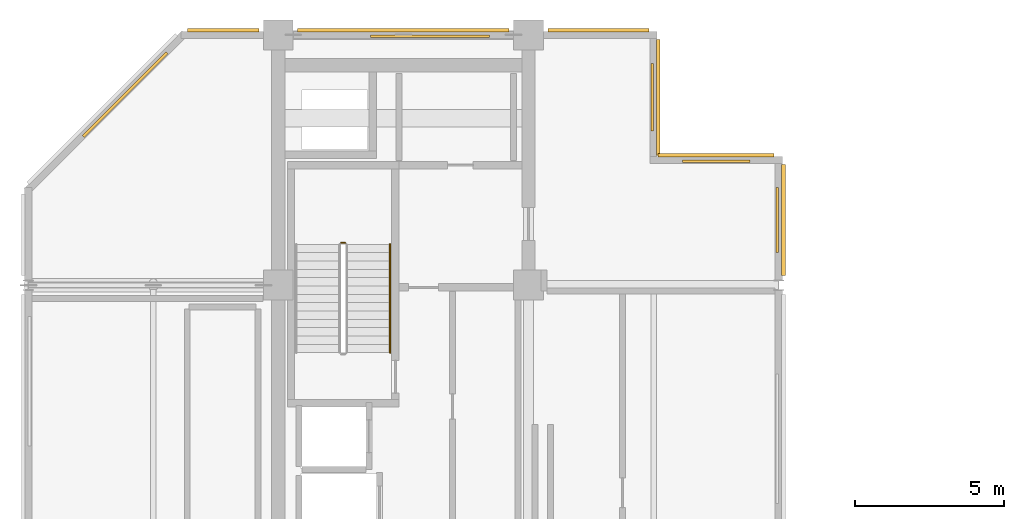
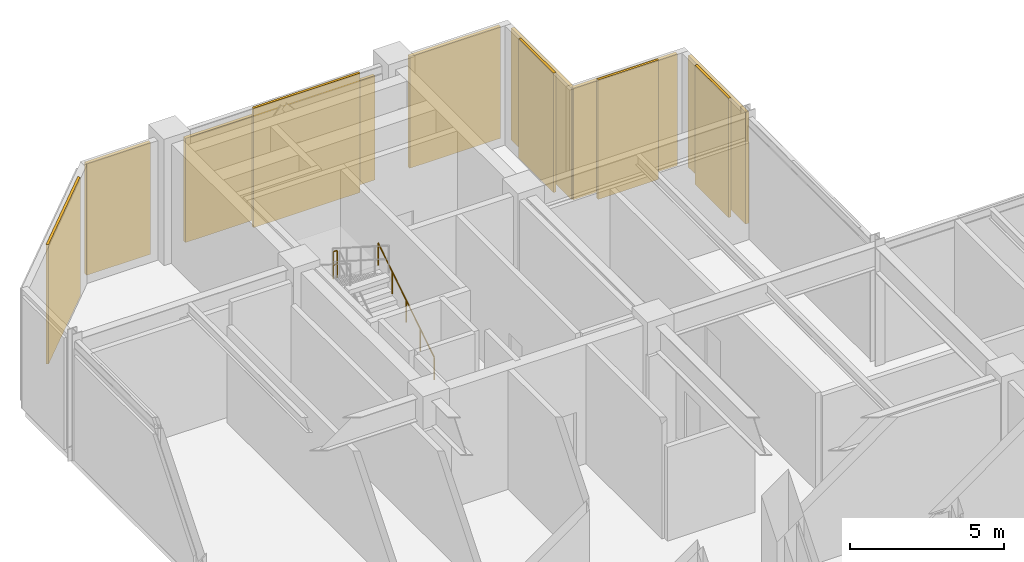
# One storey, part 10 of 10: 6 shading devices, 5 coverings, 2 railings.
"""IFC4 building model written with IfcOpenShell, lengths in metres."""

from ifc_helpers import new_model, si_unit, direction, frame, origin, origin_2d, place, context, subcontext, project, spatial, rectangle, circle, extrude, material, layer, layer_set, type_object, element, save


model = new_model("IFC4")

# Units and contexts
model_context = context("Model", 3, precision=1e-05, world=origin(), true_north=direction((0.0, 1.0)))
body_context = subcontext(model_context, "Body", "Model", "MODEL_VIEW")
ifc_project = project(units=[si_unit("LENGTHUNIT", "METRE"), si_unit("AREAUNIT", "SQUARE_METRE"), si_unit("VOLUMEUNIT", "CUBIC_METRE"), si_unit("PLANEANGLEUNIT", "RADIAN"), si_unit("MASSUNIT", "GRAM", prefix="KILO")], contexts=[model_context])

# Site, building, storey
site_placement = place(None, origin())
site = spatial("IfcSite", under=ifc_project, at=site_placement, CompositionType="ELEMENT")
building_placement = place(site_placement, origin())
building = spatial("IfcBuilding", under=site, at=building_placement, Name="Nerrivon Quay Data Exchange", CompositionType="ELEMENT")
storey_placement = place(building_placement, frame((0.0, 0.0, 245.199951171875)))
storey = spatial("IfcBuildingStorey", under=building, at=storey_placement, Name="L58", CompositionType="ELEMENT", Elevation=245.199951171875)

# Coverings
ifc_material_1 = material(Name="Architectural terracotta ceramic", Category="masonry")
ifc_layer_1 = layer(ifc_material_1, 0.090087890625)
ifc_layer_set_1 = layer_set([ifc_layer_1], Name="Architectural terracotta ceramic")
covering_type = type_object("IfcCoveringType", Name="COV-SCR-TERR", PredefinedType="CLADDING", material=ifc_layer_set_1)
covering_1_placement = place(storey_placement, frame((3.255859375, 39.9921875, 0.0), z_axis=(0.0, 0.0, 1.0), x_axis=(0.707106781187, 0.707106781187, 0.0)))
element("IfcCovering", 1, at=covering_1_placement, inside=storey, type_object=covering_type, Name="L58 Perforated Terracotta SOLAR SCREEN Cassette", PredefinedType="CLADDING", context=body_context, shape_type="SweptSolid", body=[
    extrude(rectangle(XDim=3.970947265625, YDim=0.090087890625, at=origin_2d()), origin(), (0.0, 0.0, 1.0), 4.72509765625),
])
covering_2_placement = place(storey_placement, frame((13.488037109375, 41.955078125, 0.0), z_axis=(0.0, 0.0, 1.0), x_axis=(1.0, 0.0, 0.0)))
element("IfcCovering", 2, at=covering_2_placement, inside=storey, type_object=covering_type, Name="L58 Perforated Terracotta SOLAR SCREEN Cassette", PredefinedType="CLADDING", context=body_context, shape_type="SweptSolid", body=[
    extrude(rectangle(XDim=3.99609375, YDim=0.090087890625, at=origin_2d()), origin(), (0.0, 0.0, 1.0), 4.72509765625),
])
for number, where, z_axis, x_axis, name in (
    (3, (20.955078125, 39.89990234375, 0.0), (0.0, 0.0, 1.0), (0.0, -1.0, 0.0), "L58 Perforated Terracotta SOLAR SCREEN Cassette"),
    (4, (23.10009765625, 37.7548828125, 0.0), (0.0, 0.0, 1.0), (1.0, 0.0, 0.0), "L58 Perforated Terracotta SOLAR SCREEN Cassette"),
):
    element("IfcCovering", number, at=place(storey_placement, frame(where, z_axis=z_axis, x_axis=x_axis)), inside=storey, type_object=covering_type, Name=name, PredefinedType="CLADDING", context=body_context, shape_type="SweptSolid", body=[
        extrude(rectangle(XDim=2.26806640625, YDim=0.090087890625, at=origin_2d()), origin(), (0.0, 0.0, 1.0), 4.72509765625),
    ])
covering_3_placement = place(storey_placement, frame((25.155029296875, 35.78759765625, 0.0), z_axis=(0.0, 0.0, 1.0), x_axis=(0.0, -1.0, 0.0)))
element("IfcCovering", 5, at=covering_3_placement, inside=storey, type_object=covering_type, Name="L58 Perforated Terracotta SOLAR SCREEN Cassette", PredefinedType="CLADDING", context=body_context, shape_type="SweptSolid", body=[
    extrude(rectangle(XDim=2.173095703125, YDim=0.090087890625, at=origin_2d()), origin(), (0.0, 0.0, 1.0), 4.72509765625),
])

# Railings
ifc_material_2 = material(Name="Steel Grade C350L0 (350 MPa)", Category="steel")
railing_type_1 = type_object("IfcRailingType", Name="RAIL-HAND-HR1", PredefinedType="HANDRAIL", material=ifc_material_2)
railing_1_placement = place(storey_placement, frame((12.14990234375, 31.330078125, 0.1787109375)))
element("IfcRailing", 6, at=railing_1_placement, inside=storey, type_object=railing_type_1, Name="L58 ST01 stair handrail 1", PredefinedType="HANDRAIL", context=body_context, shape_type="SweptSolid", body=[
    extrude(circle(Radius=0.02392578125, at=origin_2d()), frame((0.0, 0.0, 0.8759765625), z_axis=(0.0, 0.843137146238, 0.537698570422), x_axis=(-1.0, 0.0, 0.0)), (0.0, 0.0, 1.0), 4.317138671875),
    extrude(circle(Radius=0.02099609375, at=origin_2d()), origin(), (0.0, 0.0, 1.0), 0.851806640625),
    extrude(circle(Radius=0.02099609375, at=origin_2d()), frame((0.0, 0.909912109375, 0.580322265625)), (0.0, 0.0, 1.0), 0.851806640625),
    extrude(circle(Radius=0.02099609375, at=origin_2d()), frame((0.0, 1.81982421875, 1.16064453125)), (0.0, 0.0, 1.0), 0.851806640625),
    extrude(circle(Radius=0.02099609375, at=origin_2d()), frame((0.0, 2.72998046875, 1.740966796875)), (0.0, 0.0, 1.0), 0.851806640625),
    extrude(circle(Radius=0.02099609375, at=origin_2d()), frame((0.0, 3.639892578125, 2.3212890625)), (0.0, 0.0, 1.0), 0.851806640625),
])
railing_type_2 = type_object("IfcRailingType", Name="RAIL-STAIR-GR1", PredefinedType="BALUSTRADE", material=ifc_material_2)
railing_2_placement = place(storey_placement, frame((10.64990234375, 35.02001953125, 2.5)))
element("IfcRailing", 7, at=railing_2_placement, inside=storey, type_object=railing_type_2, Name="L58 ST01 stair guard 2", PredefinedType="BALUSTRADE", context=body_context, shape_type="SweptSolid", body=[
    extrude(circle(Radius=0.02392578125, at=origin_2d()), frame((0.0, 0.0, 1.076171875), z_axis=(-1.0, 0.0, 0.0), x_axis=(0.0, -1.0, 0.0)), (0.0, 0.0, 1.0), 0.14990234375),
    extrude(circle(Radius=0.02392578125, at=origin_2d()), frame((0.0, 0.0, 0.550048828125), z_axis=(-1.0, 0.0, 0.0), x_axis=(0.0, -1.0, 0.0)), (0.0, 0.0, 1.0), 0.14990234375),
    extrude(circle(Radius=0.02099609375, at=origin_2d()), origin(), (0.0, 0.0, 1.0), 1.052001953125),
    extrude(circle(Radius=0.02099609375, at=origin_2d()), frame((-0.14990234375, 0.0, 0.0)), (0.0, 0.0, 1.0), 1.052001953125),
])

# Shading devices
ifc_material_3 = material(Name="Anodised aluminium 6063-T6", Category="aluminium")
ifc_layer_2 = layer(ifc_material_3, 0.1201171875)
ifc_layer_set_2 = layer_set([ifc_layer_2], Name="Anodised aluminium 6063-T6")
shading_device_type = type_object("IfcShadingDeviceType", Name="SHD-LOUV-LV01", PredefinedType="JALOUSIE", material=ifc_layer_set_2)
shading_device_1_placement = place(storey_placement, frame((6.550048828125, 42.159912109375, 0.14990234375), z_axis=(0.0, 0.0, 1.0), x_axis=(1.0, 0.0, 0.0)))
element("IfcShadingDevice", 8, at=shading_device_1_placement, inside=storey, type_object=shading_device_type, Name="L58 Acoustic Plant Louvre LV01-17", PredefinedType="JALOUSIE", context=body_context, shape_type="SweptSolid", body=[
    extrude(rectangle(XDim=2.39990234375, YDim=0.1201171875, at=origin_2d()), origin(), (0.0, 0.0, 1.0), 4.425048828125),
])
shading_device_2_placement = place(storey_placement, frame((12.60009765625, 42.159912109375, 0.150146484375), z_axis=(0.0, 0.0, 1.0), x_axis=(1.0, 0.0, 0.0)))
element("IfcShadingDevice", 9, at=shading_device_2_placement, inside=storey, type_object=shading_device_type, Name="L58 Acoustic Plant Louvre LV01-18", PredefinedType="JALOUSIE", context=body_context, shape_type="SweptSolid", body=[
    extrude(rectangle(XDim=7.10009765625, YDim=0.1201171875, at=origin_2d()), origin(), (0.0, 0.0, 1.0), 4.125),
])
shading_device_3_placement = place(storey_placement, frame((19.14990234375, 42.159912109375, 0.14990234375), z_axis=(0.0, 0.0, 1.0), x_axis=(1.0, 0.0, 0.0)))
element("IfcShadingDevice", 10, at=shading_device_3_placement, inside=storey, type_object=shading_device_type, Name="L58 Acoustic Plant Louvre LV01-19", PredefinedType="JALOUSIE", context=body_context, shape_type="SweptSolid", body=[
    extrude(rectangle(XDim=3.39990234375, YDim=0.1201171875, at=origin_2d()), origin(), (0.0, 0.0, 1.0), 4.425048828125),
])
for number, where, z_axis, x_axis, name in (
    (11, (21.159912109375, 39.89990234375, 0.14990234375), (0.0, 0.0, 1.0), (0.0, -1.0, 0.0), "L58 Acoustic Plant Louvre LV01-20"),
    (12, (23.10009765625, 37.9599609375, 0.14990234375), (0.0, 0.0, 1.0), (1.0, 0.0, 0.0), "L58 Acoustic Plant Louvre LV01-21"),
):
    element("IfcShadingDevice", number, at=place(storey_placement, frame(where, z_axis=z_axis, x_axis=x_axis)), inside=storey, type_object=shading_device_type, Name=name, PredefinedType="JALOUSIE", context=body_context, shape_type="SweptSolid", body=[
        extrude(rectangle(XDim=3.89990234375, YDim=0.1201171875, at=origin_2d()), origin(), (0.0, 0.0, 1.0), 4.425048828125),
    ])
shading_device_4_placement = place(storey_placement, frame((25.360107421875, 35.78759765625, 0.14990234375), z_axis=(0.0, 0.0, 1.0), x_axis=(0.0, -1.0, 0.0)))
element("IfcShadingDevice", 13, at=shading_device_4_placement, inside=storey, type_object=shading_device_type, Name="L58 Acoustic Plant Louvre LV01-22", PredefinedType="JALOUSIE", context=body_context, shape_type="SweptSolid", body=[
    extrude(rectangle(XDim=3.72509765625, YDim=0.1201171875, at=origin_2d()), origin(), (0.0, 0.0, 1.0), 4.425048828125),
])

save(model, "model.ifc")
